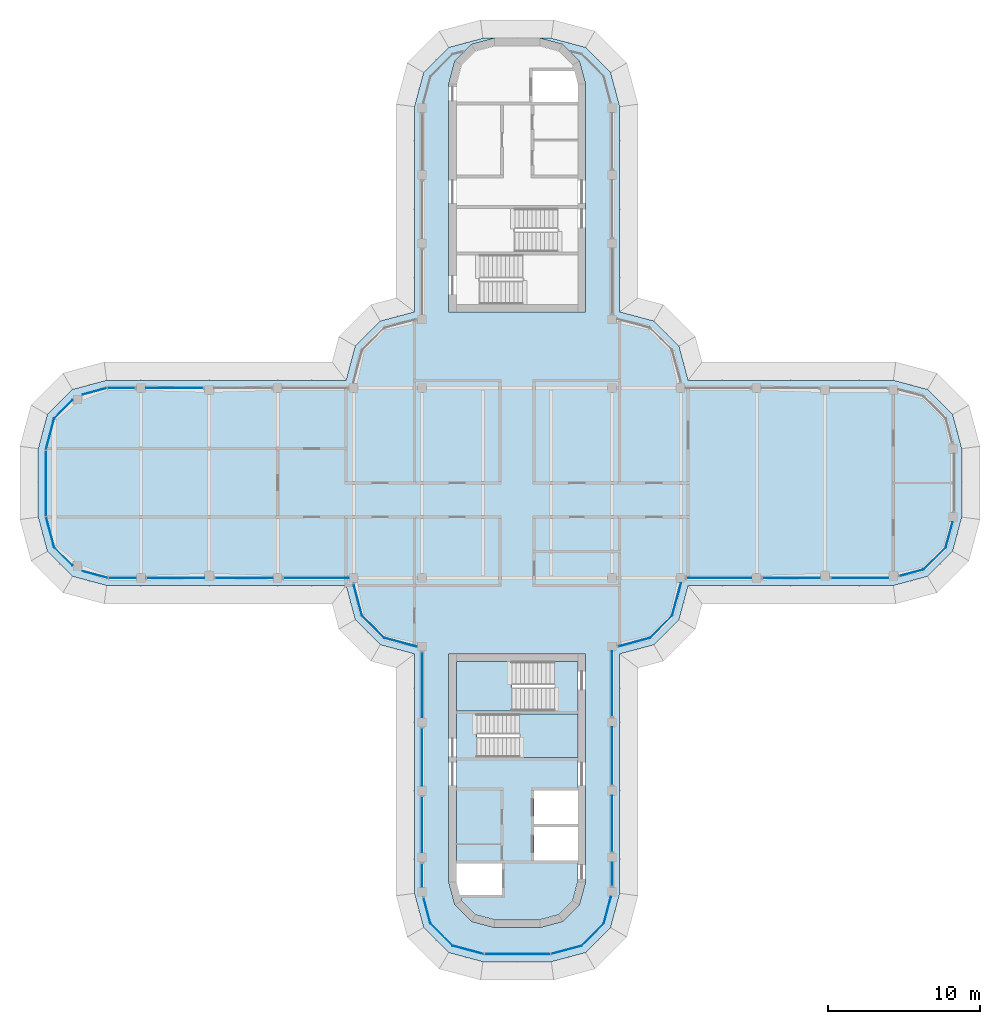
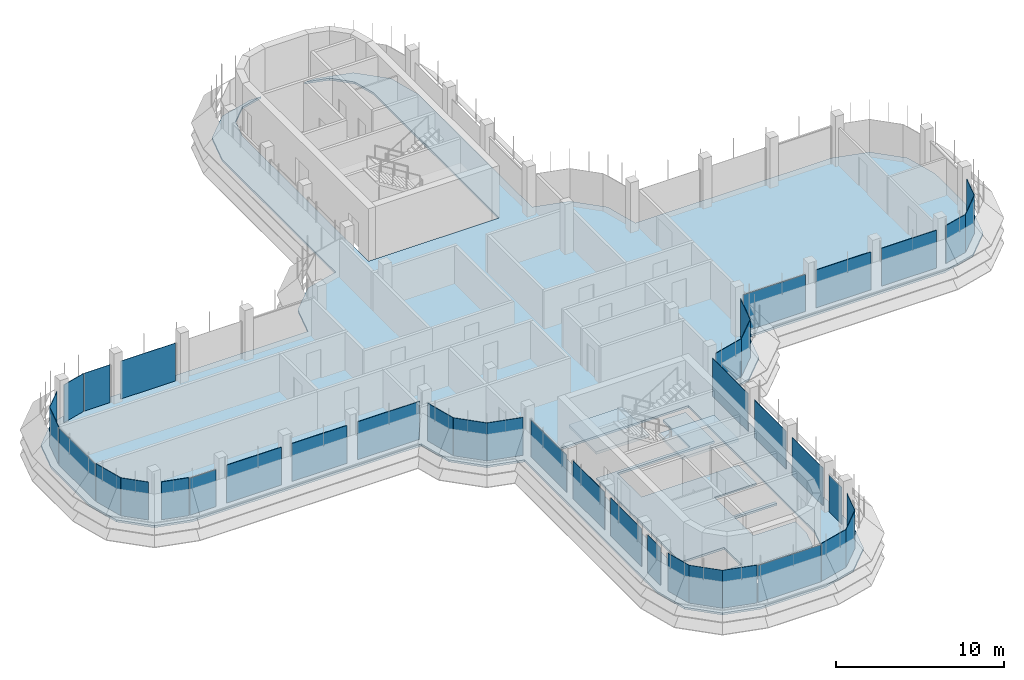
# One storey, part 11 of 19: 40 plates, 4 slabs, 30 elements without a shape of their own.
"""IFC4 building model written with IfcOpenShell, lengths in metres."""

from ifc_helpers import new_model, si_unit, direction, frame, origin, place, context, subcontext, project, spatial, polyline, outline, extrude, source, transform, mapped, material, layer, layer_set, type_object, element, aggregate, save


model = new_model("IFC4")

# Units and contexts
model_context = context("Model", 3, precision=1e-05, world=origin(), true_north=direction((0.0, 1.0)))
body_context = subcontext(model_context, "Body", "Model", "MODEL_VIEW")
ifc_project = project(units=[si_unit("LENGTHUNIT", "METRE"), si_unit("AREAUNIT", "SQUARE_METRE"), si_unit("VOLUMEUNIT", "CUBIC_METRE"), si_unit("PLANEANGLEUNIT", "RADIAN"), si_unit("MASSUNIT", "GRAM", prefix="KILO")], contexts=[model_context])

# Site, building, storey
site_placement = place(None, origin())
site = spatial("IfcSite", under=ifc_project, at=site_placement, CompositionType="ELEMENT")
building_placement = place(site_placement, origin())
building = spatial("IfcBuilding", under=site, at=building_placement, Name="Zarbagh Exchange Tower", CompositionType="ELEMENT")
storey_placement = place(building_placement, frame((0.0, 0.0, 280.199951171875)))
storey = spatial("IfcBuildingStorey", under=building, at=storey_placement, Name="L69", CompositionType="ELEMENT", Elevation=280.199951171875)

# Slabs
ifc_material_1 = material(Name="Concrete C40/50", Category="concrete")
ifc_layer_1 = layer(ifc_material_1, 0.14990234375)
ifc_layer_set_1 = layer_set([ifc_layer_1], Name="Composite floor slab 150 C40/50")
slab_type_1 = type_object("IfcSlabType", Name="Composite floor slab 150 C40/50", PredefinedType="FLOOR", material=ifc_layer_set_1)
slab_1_placement = place(storey_placement, frame((0.0, 0.0, -0.14990234375)))
element("IfcSlab", 1, at=slab_1_placement, inside=storey, type_object=slab_type_1, Name="S5 composite floor slab", PredefinedType="FLOOR", context=body_context, shape_type="SweptSolid", body=[
    extrude(outline(polyline([(-2.25, -31.5), (-4.5, -30.897216796875), (-6.147216796875, -29.25), (-6.75, -27.0), (-6.75, -11.25), (-9.0, -10.647216796875), (-10.647216796875, -9.0), (-11.25, -6.75), (-27.0, -6.75), (-29.25, -6.147216796875), (-30.897216796875, -4.5), (-31.5, -2.25), (-31.5, 2.25), (-30.897216796875, 4.5), (-29.25, 6.147216796875), (-27.0, 6.75), (-11.25, 6.75), (-10.647216796875, 9.0), (-9.0, 10.647216796875), (-6.75, 11.25), (-6.75, 24.75), (-6.147216796875, 27.0), (-4.5, 28.647216796875), (-2.25, 29.25), (-1.5, 29.25), (-3.0, 28.84814453125), (-4.09814453125, 27.75), (-4.5, 26.25), (-4.5, 11.25), (4.5, 11.25), (4.5, 26.25), (4.09814453125, 27.75), (3.0, 28.84814453125), (1.5, 29.25), (2.25, 29.25), (4.5, 28.647216796875), (6.147216796875, 27.0), (6.75, 24.75), (6.75, 11.25), (9.0, 10.647216796875), (10.647216796875, 9.0), (11.25, 6.75), (24.75, 6.75), (27.0, 6.147216796875), (28.647216796875, 4.5), (29.25, 2.25), (29.25, -2.25), (28.647216796875, -4.5), (27.0, -6.147216796875), (24.75, -6.75), (11.25, -6.75), (10.647216796875, -9.0), (9.0, -10.647216796875), (6.75, -11.25), (6.75, -27.0), (6.147216796875, -29.25), (4.5, -30.897216796875), (2.25, -31.5), (-2.25, -31.5)]), holes=[polyline([(-1.5, -29.25), (1.5, -29.25), (3.0, -28.84814453125), (4.09814453125, -27.75), (4.5, -26.25), (4.5, -11.25), (-4.5, -11.25), (-4.5, -26.25), (-4.09814453125, -27.75), (-3.0, -28.84814453125), (-1.5, -29.25)])]), origin(), (0.0, 0.0, 1.0), 0.14990234375),
])
ifc_layer_2 = layer(ifc_material_1, 0.14990234375)
ifc_layer_set_2 = layer_set([ifc_layer_2], Name="Core floor slab 150 C40/50")
slab_type_2 = type_object("IfcSlabType", Name="Core floor slab 150 C40/50", PredefinedType="FLOOR", material=ifc_layer_set_2)
slab_2_placement = place(storey_placement, frame((0.0, 0.0, -0.14990234375)))
element("IfcSlab", 2, at=slab_2_placement, inside=storey, type_object=slab_type_2, Name="S17 core S", PredefinedType="FLOOR", context=body_context, shape_type="SweptSolid", body=[
    extrude(outline(polyline([(-2.7412109375, -28.39990234375), (-3.64990234375, -27.4912109375), (-3.857666015625, -26.715087890625), (-3.754638671875, -27.10009765625), (-1.0, -27.10009765625), (-1.0, -25.050048828125), (-4.0, -25.050048828125), (-4.0, -15.0), (2.449951171875, -15.0), (2.449951171875, -11.75), (4.0, -11.75), (4.0, -15.199951171875), (-2.64990234375, -15.199951171875), (-2.64990234375, -18.050048828125), (4.0, -18.050048828125), (4.0, -20.25), (1.10009765625, -20.25), (1.10009765625, -22.449951171875), (4.0, -22.449951171875), (4.0, -22.64990234375), (1.10009765625, -22.64990234375), (1.10009765625, -24.85009765625), (4.0, -24.85009765625), (4.0, -26.18408203125), (3.64990234375, -27.4912109375), (2.7412109375, -28.39990234375), (1.43408203125, -28.75), (-1.43408203125, -28.75), (-2.7412109375, -28.39990234375)])), origin(), (0.0, 0.0, 1.0), 0.14990234375),
])

# Stair, slab
stair_type = type_object("IfcStairType", Name="Exit stair two-flight half-turn", PredefinedType="HALF_TURN_STAIR", material=ifc_material_1)
stair_1_placement = place(storey_placement, origin())
stair_1 = element("IfcStair", 3, at=stair_1_placement, inside=storey, type_object=stair_type, Name="exit stair ST3", PredefinedType="HALF_TURN_STAIR")
ifc_layer_3 = layer(ifc_material_1, 0.199951171875)
ifc_layer_set_3 = layer_set([ifc_layer_3], Name="Stair landing 200 mm")
slab_type_3 = type_object("IfcSlabType", Name="Stair landing 200 mm", PredefinedType="LANDING", material=ifc_layer_set_3)
slab_3_placement = place(storey_placement, frame((0.0, 0.0, 1.699951171875)))
slab_3 = element("IfcSlab", 4, at=slab_3_placement, type_object=slab_type_3, Name="ST3 landing 1", PredefinedType="LANDING", context=body_context, shape_type="SweptSolid", body=[
    extrude(outline(polyline([(0.14990234375, -18.050048828125), (4.0, -18.050048828125), (4.0, -15.199951171875), (0.14990234375, -15.199951171875), (0.14990234375, -18.050048828125)])), origin(), (0.0, 0.0, 1.0), 0.2001953125),
])
aggregate(stair_1, [slab_3])

stair_2_placement = place(storey_placement, origin())
stair_2 = element("IfcStair", 5, at=stair_2_placement, inside=storey, type_object=stair_type, Name="exit stair ST4", PredefinedType="HALF_TURN_STAIR")
slab_4_placement = place(storey_placement, frame((0.0, 0.0, 1.699951171875)))
slab_4 = element("IfcSlab", 6, at=slab_4_placement, type_object=slab_type_3, Name="ST4 landing 1", PredefinedType="LANDING", context=body_context, shape_type="SweptSolid", body=[
    extrude(outline(polyline([(-0.35009765625, -11.75), (-4.0, -11.75), (-4.0, -15.0), (-0.35009765625, -15.0), (-0.35009765625, -11.75)])), origin(), (0.0, 0.0, 1.0), 0.2001953125),
])
aggregate(stair_2, [slab_4])

# Curtain wall, plate
ifc_material_2 = material(Name="Anodised aluminium frame and glazing", Category="aluminium")
curtain_wall_type = type_object("IfcCurtainWallType", Name="CWB Ribbon glazing, upper zones", PredefinedType="NOTDEFINED", material=ifc_material_2)
curtain_wall_1_placement = place(storey_placement, origin())
curtain_wall_1 = element("IfcCurtainWall", 7, at=curtain_wall_1_placement, inside=storey, type_object=curtain_wall_type, Name="CWB50 curtain wall", PredefinedType="NOTDEFINED")
ifc_material_3 = material(Name="Low-e double glazed unit, 6+12+6 mm")
ifc_layer_4 = layer(ifc_material_3, 0.031982421875)
ifc_layer_set_4 = layer_set([ifc_layer_4], Name="PAB Glazing panel, Low-e double glazed unit, 6+12+6 mm")
plate_type = type_object("IfcPlateType", Name="PAB Glazing panel, Low-e double glazed unit, 6+12+6 mm", PredefinedType="CURTAIN_PANEL", material=ifc_layer_set_4)
shared_shape_1 = source(origin(), body_context, "Body", "SweptSolid", [
    extrude(outline(polyline([(0.0, -0.01611328125), (2.061279296875, -0.01611328125), (2.061279296875, 0.01611328125), (0.0, 0.01611328125), (0.0, -0.01611328125)])), origin(), (0.0, 0.0, 1.0), 2.75),
])
placement = place(storey_placement, origin())
plate_1 = element("IfcPlate", 8, at=placement, type_object=plate_type, Name="CWB50 glazing panel 1.1", PredefinedType="CURTAIN_PANEL", context=body_context, shape_type="MappedRepresentation", body=[
    mapped(shared_shape_1, transform((4.2412109375, -30.44873046875, 0.0), x_axis=(0.707106781187, 0.707106781187, 0.0), y_axis=(-0.707106781187, 0.707106781187, 0.0), z_axis=(0.0, 0.0, 1.0))),
])
aggregate(curtain_wall_1, [plate_1])

curtain_wall_2_placement = place(storey_placement, origin())
curtain_wall_2 = element("IfcCurtainWall", 9, at=curtain_wall_2_placement, inside=storey, type_object=curtain_wall_type, Name="CWB06 curtain wall", PredefinedType="NOTDEFINED")
plate_2 = element("IfcPlate", 10, at=placement, type_object=plate_type, Name="CWB06 glazing panel 1.1", PredefinedType="CURTAIN_PANEL", context=body_context, shape_type="MappedRepresentation", body=[
    mapped(shared_shape_1, transform((8.7412109375, -10.19873046875, 0.0), x_axis=(0.707106781187, 0.707106781187, 0.0), y_axis=(-0.707106781187, 0.707106781187, 0.0), z_axis=(0.0, 0.0, 1.0))),
])
aggregate(curtain_wall_2, [plate_2])

curtain_wall_3_placement = place(storey_placement, origin())
curtain_wall_3 = element("IfcCurtainWall", 11, at=curtain_wall_3_placement, inside=storey, type_object=curtain_wall_type, Name="CWB77 curtain wall", PredefinedType="NOTDEFINED")
plate_3 = element("IfcPlate", 12, at=placement, type_object=plate_type, Name="CWB77 glazing panel 1.1", PredefinedType="CURTAIN_PANEL", context=body_context, shape_type="MappedRepresentation", body=[
    mapped(shared_shape_1, transform((26.7412109375, -5.69873046875, 0.0), x_axis=(0.707106781187, 0.707106781187, 0.0), y_axis=(-0.707106781187, 0.707106781187, 0.0), z_axis=(0.0, 0.0, 1.0))),
])
aggregate(curtain_wall_3, [plate_3])

curtain_wall_4_placement = place(storey_placement, origin())
curtain_wall_4 = element("IfcCurtainWall", 13, at=curtain_wall_4_placement, inside=storey, type_object=curtain_wall_type, Name="CWB42 curtain wall", PredefinedType="NOTDEFINED")
plate_4 = element("IfcPlate", 14, at=placement, type_object=plate_type, Name="CWB42 glazing panel 1.1", PredefinedType="CURTAIN_PANEL", context=body_context, shape_type="MappedRepresentation", body=[
    mapped(shared_shape_1, transform((-10.19873046875, -8.7412109375, 0.0), x_axis=(0.707106781187, -0.707106781187, 0.0), y_axis=(0.707106781187, 0.707106781187, 0.0), z_axis=(0.0, 0.0, 1.0))),
])
aggregate(curtain_wall_4, [plate_4])

curtain_wall_5_placement = place(storey_placement, origin())
curtain_wall_5 = element("IfcCurtainWall", 15, at=curtain_wall_5_placement, inside=storey, type_object=curtain_wall_type, Name="CWB55 curtain wall", PredefinedType="NOTDEFINED")
plate_5 = element("IfcPlate", 16, at=placement, type_object=plate_type, Name="CWB55 glazing panel 1.1", PredefinedType="CURTAIN_PANEL", context=body_context, shape_type="MappedRepresentation", body=[
    mapped(shared_shape_1, transform((-5.69873046875, -28.9912109375, 0.0), x_axis=(0.707106781187, -0.707106781187, 0.0), y_axis=(0.707106781187, 0.707106781187, 0.0), z_axis=(0.0, 0.0, 1.0))),
])
aggregate(curtain_wall_5, [plate_5])

curtain_wall_6_placement = place(storey_placement, origin())
curtain_wall_6 = element("IfcCurtainWall", 17, at=curtain_wall_6_placement, inside=storey, type_object=curtain_wall_type, Name="CWB61 curtain wall", PredefinedType="NOTDEFINED")
shared_shape_2 = source(origin(), body_context, "Body", "SweptSolid", [
    extrude(outline(polyline([(0.0, -0.01611328125), (2.129638671875, -0.01611328125), (2.129638671875, 0.01611328125), (0.0, 0.01611328125), (0.0, -0.01611328125)])), origin(), (0.0, 0.0, 1.0), 2.75),
])
plate_6 = element("IfcPlate", 18, at=placement, type_object=plate_type, Name="CWB61 glazing panel 1.1", PredefinedType="CURTAIN_PANEL", context=body_context, shape_type="MappedRepresentation", body=[
    mapped(shared_shape_2, transform((-30.44873046875, 4.2412109375, 0.0), x_axis=(-0.258824779902, -0.965924289636, 0.0), y_axis=(0.965924289636, -0.258824779902, 0.0), z_axis=(0.0, 0.0, 1.0))),
])
aggregate(curtain_wall_6, [plate_6])

curtain_wall_7_placement = place(storey_placement, origin())
curtain_wall_7 = element("IfcCurtainWall", 19, at=curtain_wall_7_placement, inside=storey, type_object=curtain_wall_type, Name="CWB56 curtain wall", PredefinedType="NOTDEFINED")
plate_7 = element("IfcPlate", 20, at=placement, type_object=plate_type, Name="CWB56 glazing panel 1.1", PredefinedType="CURTAIN_PANEL", context=body_context, shape_type="MappedRepresentation", body=[
    mapped(shared_shape_2, transform((-4.2412109375, -30.44873046875, 0.0), x_axis=(0.965924289636, -0.258824779902, 0.0), y_axis=(0.258824779902, 0.965924289636, 0.0), z_axis=(0.0, 0.0, 1.0))),
])
aggregate(curtain_wall_7, [plate_7])

curtain_wall_8_placement = place(storey_placement, origin())
curtain_wall_8 = element("IfcCurtainWall", 21, at=curtain_wall_8_placement, inside=storey, type_object=curtain_wall_type, Name="CWB65 curtain wall", PredefinedType="NOTDEFINED")
shared_shape_3 = source(origin(), body_context, "Body", "SweptSolid", [
    extrude(outline(polyline([(0.0, -0.01611328125), (1.7841796875, -0.01611328125), (1.7841796875, 0.01611328125), (0.0, 0.01611328125), (0.0, -0.01611328125)])), origin(), (0.0, 0.0, 1.0), 2.68994140625),
])
plate_8 = element("IfcPlate", 22, at=placement, type_object=plate_type, Name="CWB65 glazing panel 1.1", PredefinedType="CURTAIN_PANEL", context=body_context, shape_type="MappedRepresentation", body=[
    mapped(shared_shape_3, transform((-26.874267578125, -6.25, 0.0), x_axis=(1.0, 0.0, 0.0), y_axis=(0.0, 1.0, 0.0), z_axis=(0.0, 0.0, 1.0))),
])

curtain_wall_9_placement = place(storey_placement, origin())
curtain_wall_9 = element("IfcCurtainWall", 23, at=curtain_wall_9_placement, inside=storey, type_object=curtain_wall_type, Name="CWB66 curtain wall", PredefinedType="NOTDEFINED")
shared_shape_4 = source(origin(), body_context, "Body", "SweptSolid", [
    extrude(outline(polyline([(0.0, -0.01611328125), (4.308349609375, -0.01611328125), (4.308349609375, 0.01611328125), (0.0, 0.01611328125), (0.0, -0.01611328125)])), origin(), (0.0, 0.0, 1.0), 2.68994140625),
])
plate_9 = element("IfcPlate", 24, at=placement, type_object=plate_type, Name="CWB66 glazing panel 1.1", PredefinedType="CURTAIN_PANEL", context=body_context, shape_type="MappedRepresentation", body=[
    mapped(shared_shape_4, transform((-31.0, 2.124267578125, 0.0), x_axis=(0.0, -1.0, 0.0), y_axis=(1.0, 0.0, 0.0), z_axis=(0.0, 0.0, 1.0))),
])
aggregate(curtain_wall_9, [plate_9])

curtain_wall_10_placement = place(storey_placement, origin())
curtain_wall_10 = element("IfcCurtainWall", 25, at=curtain_wall_10_placement, inside=storey, type_object=curtain_wall_type, Name="CWB57 curtain wall", PredefinedType="NOTDEFINED")
plate_10 = element("IfcPlate", 26, at=placement, type_object=plate_type, Name="CWB57 glazing panel 1.1", PredefinedType="CURTAIN_PANEL", context=body_context, shape_type="MappedRepresentation", body=[
    mapped(shared_shape_4, transform((-2.124267578125, -31.0, 0.0), x_axis=(1.0, 0.0, 0.0), y_axis=(0.0, 1.0, 0.0), z_axis=(0.0, 0.0, 1.0))),
])
aggregate(curtain_wall_10, [plate_10])

curtain_wall_11_placement = place(storey_placement, origin())
curtain_wall_11 = element("IfcCurtainWall", 27, at=curtain_wall_11_placement, inside=storey, type_object=curtain_wall_type, Name="CWB49 curtain wall", PredefinedType="NOTDEFINED")
shared_shape_5 = source(origin(), body_context, "Body", "SweptSolid", [
    extrude(outline(polyline([(0.0, -0.01611328125), (2.069580078125, -0.01611328125), (2.069580078125, 0.01611328125), (0.0, 0.01611328125), (0.0, -0.01611328125)])), origin(), (0.0, 0.0, 1.0), 2.75),
])
plate_11 = element("IfcPlate", 28, at=placement, type_object=plate_type, Name="CWB49 glazing panel 1.1", PredefinedType="CURTAIN_PANEL", context=body_context, shape_type="MappedRepresentation", body=[
    mapped(shared_shape_5, transform((2.2421875, -30.984375, 0.0), x_axis=(0.965924289636, 0.258824779902, 0.0), y_axis=(-0.258824779902, 0.965924289636, 0.0), z_axis=(0.0, 0.0, 1.0))),
])
aggregate(curtain_wall_11, [plate_11])

curtain_wall_12_placement = place(storey_placement, origin())
curtain_wall_12 = element("IfcCurtainWall", 29, at=curtain_wall_12_placement, inside=storey, type_object=curtain_wall_type, Name="CWB62 curtain wall", PredefinedType="NOTDEFINED")
plate_12 = element("IfcPlate", 30, at=placement, type_object=plate_type, Name="CWB62 glazing panel 1.1", PredefinedType="CURTAIN_PANEL", context=body_context, shape_type="MappedRepresentation", body=[
    mapped(shared_shape_5, transform((-30.984375, -2.2421875, 0.0), x_axis=(0.258824779902, -0.965924289636, 0.0), y_axis=(0.965924289636, 0.258824779902, 0.0), z_axis=(0.0, 0.0, 1.0))),
])
aggregate(curtain_wall_12, [plate_12])

curtain_wall_13_placement = place(storey_placement, origin())
curtain_wall_13 = element("IfcCurtainWall", 31, at=curtain_wall_13_placement, inside=storey, type_object=curtain_wall_type, Name="CWB58 curtain wall", PredefinedType="NOTDEFINED")
shared_shape_6 = source(origin(), body_context, "Body", "SweptSolid", [
    extrude(outline(polyline([(0.0, -0.01611328125), (1.7841796875, -0.01611328125), (1.7841796875, 0.01611328125), (0.0, 0.01611328125), (0.0, -0.01611328125)])), origin(), (0.0, 0.0, 1.0), 2.75),
])
plate_13 = element("IfcPlate", 32, at=placement, type_object=plate_type, Name="CWB58 glazing panel 4.1", PredefinedType="CURTAIN_PANEL", context=body_context, shape_type="MappedRepresentation", body=[
    mapped(shared_shape_6, transform((-25.150146484375, 6.25, 0.0), x_axis=(-1.0, 0.0, 0.0), y_axis=(0.0, -1.0, 0.0), z_axis=(0.0, 0.0, 1.0))),
])

curtain_wall_14_placement = place(storey_placement, origin())
curtain_wall_14 = element("IfcCurtainWall", 33, at=curtain_wall_14_placement, inside=storey, type_object=curtain_wall_type, Name="CWB78 curtain wall", PredefinedType="NOTDEFINED")
shared_shape_7 = source(origin(), body_context, "Body", "SweptSolid", [
    extrude(outline(polyline([(0.0, -0.01611328125), (1.70947265625, -0.01611328125), (1.70947265625, 0.01611328125), (0.0, 0.01611328125), (0.0, -0.01611328125)])), origin(), (0.0, 0.0, 1.0), 2.75),
])
plate_14 = element("IfcPlate", 34, at=placement, type_object=plate_type, Name="CWB78 glazing panel 1.1", PredefinedType="CURTAIN_PANEL", context=body_context, shape_type="MappedRepresentation", body=[
    mapped(shared_shape_7, transform((28.19873046875, -4.2412109375, 0.0), x_axis=(0.258824779902, 0.965924289636, 0.0), y_axis=(-0.965924289636, 0.258824779902, 0.0), z_axis=(0.0, 0.0, 1.0))),
])
aggregate(curtain_wall_14, [plate_14])

curtain_wall_15_placement = place(storey_placement, origin())
curtain_wall_15 = element("IfcCurtainWall", 35, at=curtain_wall_15_placement, inside=storey, type_object=curtain_wall_type, Name="CWB76 curtain wall", PredefinedType="NOTDEFINED")
shared_shape_8 = source(origin(), body_context, "Body", "SweptSolid", [
    extrude(outline(polyline([(0.0, -0.01611328125), (1.6494140625, -0.01611328125), (1.6494140625, 0.01611328125), (0.0, 0.01611328125), (0.0, -0.01611328125)])), origin(), (0.0, 0.0, 1.0), 2.75),
])
plate_15 = element("IfcPlate", 36, at=placement, type_object=plate_type, Name="CWB76 glazing panel 1.1", PredefinedType="CURTAIN_PANEL", context=body_context, shape_type="MappedRepresentation", body=[
    mapped(shared_shape_8, transform((25.14794921875, -6.125732421875, 0.0), x_axis=(0.965924289636, 0.258824779902, 0.0), y_axis=(-0.258824779902, 0.965924289636, 0.0), z_axis=(0.0, 0.0, 1.0))),
])
aggregate(curtain_wall_15, [plate_15])

curtain_wall_16_placement = place(storey_placement, origin())
curtain_wall_16 = element("IfcCurtainWall", 37, at=curtain_wall_16_placement, inside=storey, type_object=curtain_wall_type, Name="CWB52 curtain wall", PredefinedType="NOTDEFINED")
shared_shape_9 = source(origin(), body_context, "Body", "SweptSolid", [
    extrude(outline(polyline([(0.0, -0.01611328125), (3.659912109375, -0.01611328125), (3.659912109375, 0.01611328125), (0.0, 0.01611328125), (0.0, -0.01611328125)])), origin(), (0.0, 0.0, 1.0), 2.75),
])
plate_16 = element("IfcPlate", 38, at=placement, type_object=plate_type, Name="CWB52 glazing panel 2.1", PredefinedType="CURTAIN_PANEL", context=body_context, shape_type="MappedRepresentation", body=[
    mapped(shared_shape_9, transform((6.25, -24.25, 0.0), x_axis=(0.0, 1.0, 0.0), y_axis=(-1.0, 0.0, 0.0), z_axis=(0.0, 0.0, 1.0))),
])

curtain_wall_17_placement = place(storey_placement, origin())
curtain_wall_17 = element("IfcCurtainWall", 39, at=curtain_wall_17_placement, inside=storey, type_object=curtain_wall_type, Name="CWB53 curtain wall", PredefinedType="NOTDEFINED")
plate_17 = element("IfcPlate", 40, at=placement, type_object=plate_type, Name="CWB53 glazing panel 3.1", PredefinedType="CURTAIN_PANEL", context=body_context, shape_type="MappedRepresentation", body=[
    mapped(shared_shape_9, transform((-6.25, -20.650146484375, 0.0), x_axis=(0.0, -1.0, 0.0), y_axis=(1.0, 0.0, 0.0), z_axis=(0.0, 0.0, 1.0))),
])

curtain_wall_18_placement = place(storey_placement, origin())
curtain_wall_18 = element("IfcCurtainWall", 41, at=curtain_wall_18_placement, inside=storey, type_object=curtain_wall_type, Name="CWB51 curtain wall", PredefinedType="NOTDEFINED")
shared_shape_10 = source(origin(), body_context, "Body", "SweptSolid", [
    extrude(outline(polyline([(0.0, -0.01611328125), (1.81298828125, -0.01611328125), (1.81298828125, 0.01611328125), (0.0, 0.01611328125), (0.0, -0.01611328125)])), origin(), (0.0, 0.0, 1.0), 2.75),
])
plate_18 = element("IfcPlate", 42, at=placement, type_object=plate_type, Name="CWB51 glazing panel 1.1", PredefinedType="CURTAIN_PANEL", context=body_context, shape_type="MappedRepresentation", body=[
    mapped(shared_shape_10, transform((5.69873046875, -28.9912109375, 0.0), x_axis=(0.258824779902, 0.965924289636, 0.0), y_axis=(-0.965924289636, 0.258824779902, 0.0), z_axis=(0.0, 0.0, 1.0))),
])
aggregate(curtain_wall_18, [plate_18])

# Plate
shared_shape_11 = source(origin(), body_context, "Body", "SweptSolid", [
    extrude(outline(polyline([(0.0, -0.01611328125), (1.510009765625, -0.01611328125), (1.510009765625, 0.01611328125), (0.0, 0.01611328125), (0.0, -0.01611328125)])), origin(), (0.0, 0.0, 1.0), 2.68994140625),
])
plate_19 = element("IfcPlate", 43, at=placement, type_object=plate_type, Name="CWB52 glazing panel 1.1", PredefinedType="CURTAIN_PANEL", context=body_context, shape_type="MappedRepresentation", body=[
    mapped(shared_shape_11, transform((6.25, -26.5, 0.0), x_axis=(0.0, 1.0, 0.0), y_axis=(-1.0, 0.0, 0.0), z_axis=(0.0, 0.0, 1.0))),
])

shared_shape_12 = source(origin(), body_context, "Body", "SweptSolid", [
    extrude(outline(polyline([(0.0, -0.01611328125), (3.760009765625, -0.01611328125), (3.760009765625, 0.01611328125), (0.0, 0.01611328125), (0.0, -0.01611328125)])), origin(), (0.0, 0.0, 1.0), 2.75),
])
plate_20 = element("IfcPlate", 44, at=placement, type_object=plate_type, Name="CWB52 glazing panel 3.1", PredefinedType="CURTAIN_PANEL", context=body_context, shape_type="MappedRepresentation", body=[
    mapped(shared_shape_12, transform((6.25, -19.849853515625, 0.0), x_axis=(0.0, 1.0, 0.0), y_axis=(-1.0, 0.0, 0.0), z_axis=(0.0, 0.0, 1.0))),
])

# Curtain wall, plates
curtain_wall_19_placement = place(storey_placement, origin())
curtain_wall_19 = element("IfcCurtainWall", 45, at=curtain_wall_19_placement, inside=storey, type_object=curtain_wall_type, Name="CWB75 curtain wall", PredefinedType="NOTDEFINED")
plate_21 = element("IfcPlate", 46, at=placement, type_object=plate_type, Name="CWB75 glazing panel 2.1", PredefinedType="CURTAIN_PANEL", context=body_context, shape_type="MappedRepresentation", body=[
    mapped(shared_shape_12, transform((16.150146484375, -6.25, 0.0), x_axis=(1.0, 0.0, 0.0), y_axis=(0.0, 1.0, 0.0), z_axis=(0.0, 0.0, 1.0))),
])
plate_22 = element("IfcPlate", 47, at=placement, type_object=plate_type, Name="CWB75 glazing panel 3.1", PredefinedType="CURTAIN_PANEL", context=body_context, shape_type="MappedRepresentation", body=[
    mapped(shared_shape_12, transform((20.650146484375, -6.25, 0.0), x_axis=(1.0, 0.0, 0.0), y_axis=(0.0, 1.0, 0.0), z_axis=(0.0, 0.0, 1.0))),
])

# Plate
plate_23 = element("IfcPlate", 48, at=placement, type_object=plate_type, Name="CWB58 glazing panel 3.1", PredefinedType="CURTAIN_PANEL", context=body_context, shape_type="MappedRepresentation", body=[
    mapped(shared_shape_12, transform((-20.650146484375, 6.25, 0.0), x_axis=(-1.0, 0.0, 0.0), y_axis=(0.0, -1.0, 0.0), z_axis=(0.0, 0.0, 1.0))),
])

aggregate(curtain_wall_13, [plate_23, plate_13])

plate_24 = element("IfcPlate", 49, at=placement, type_object=plate_type, Name="CWB65 glazing panel 2.1", PredefinedType="CURTAIN_PANEL", context=body_context, shape_type="MappedRepresentation", body=[
    mapped(shared_shape_12, transform((-24.349853515625, -6.25, 0.0), x_axis=(1.0, 0.0, 0.0), y_axis=(0.0, 1.0, 0.0), z_axis=(0.0, 0.0, 1.0))),
])

plate_25 = element("IfcPlate", 50, at=placement, type_object=plate_type, Name="CWB65 glazing panel 3.1", PredefinedType="CURTAIN_PANEL", context=body_context, shape_type="MappedRepresentation", body=[
    mapped(shared_shape_12, transform((-19.849853515625, -6.25, 0.0), x_axis=(1.0, 0.0, 0.0), y_axis=(0.0, 1.0, 0.0), z_axis=(0.0, 0.0, 1.0))),
])

plate_26 = element("IfcPlate", 51, at=placement, type_object=plate_type, Name="CWB53 glazing panel 2.1", PredefinedType="CURTAIN_PANEL", context=body_context, shape_type="MappedRepresentation", body=[
    mapped(shared_shape_12, transform((-6.25, -16.150146484375, 0.0), x_axis=(0.0, -1.0, 0.0), y_axis=(1.0, 0.0, 0.0), z_axis=(0.0, 0.0, 1.0))),
])

shared_shape_13 = source(origin(), body_context, "Body", "SweptSolid", [
    extrude(outline(polyline([(0.0, -0.01611328125), (4.260009765625, -0.01611328125), (4.260009765625, 0.01611328125), (0.0, 0.01611328125), (0.0, -0.01611328125)])), origin(), (0.0, 0.0, 1.0), 2.75),
])
plate_27 = element("IfcPlate", 52, at=placement, type_object=plate_type, Name="CWB52 glazing panel 4.1", PredefinedType="CURTAIN_PANEL", context=body_context, shape_type="MappedRepresentation", body=[
    mapped(shared_shape_13, transform((6.25, -15.349853515625, 0.0), x_axis=(0.0, 1.0, 0.0), y_axis=(-1.0, 0.0, 0.0), z_axis=(0.0, 0.0, 1.0))),
])

aggregate(curtain_wall_16, [plate_19, plate_16, plate_20, plate_27])

plate_28 = element("IfcPlate", 53, at=placement, type_object=plate_type, Name="CWB65 glazing panel 4.1", PredefinedType="CURTAIN_PANEL", context=body_context, shape_type="MappedRepresentation", body=[
    mapped(shared_shape_13, transform((-15.349853515625, -6.25, 0.0), x_axis=(1.0, 0.0, 0.0), y_axis=(0.0, 1.0, 0.0), z_axis=(0.0, 0.0, 1.0))),
])

aggregate(curtain_wall_8, [plate_8, plate_24, plate_25, plate_28])

# Curtain wall, plate
curtain_wall_20_placement = place(storey_placement, origin())
curtain_wall_20 = element("IfcCurtainWall", 54, at=curtain_wall_20_placement, inside=storey, type_object=curtain_wall_type, Name="CWB05 curtain wall", PredefinedType="NOTDEFINED")
shared_shape_14 = source(origin(), body_context, "Body", "SweptSolid", [
    extrude(outline(polyline([(0.0, -0.01611328125), (2.1669921875, -0.01611328125), (2.1669921875, 0.01611328125), (0.0, 0.01611328125), (0.0, -0.01611328125)])), origin(), (0.0, 0.0, 1.0), 2.75),
])
plate_29 = element("IfcPlate", 55, at=placement, type_object=plate_type, Name="CWB05 glazing panel 1.1", PredefinedType="CURTAIN_PANEL", context=body_context, shape_type="MappedRepresentation", body=[
    mapped(shared_shape_14, transform((6.64794921875, -10.759765625, 0.0), x_axis=(0.965924289636, 0.258824779902, 0.0), y_axis=(-0.258824779902, 0.965924289636, 0.0), z_axis=(0.0, 0.0, 1.0))),
])
aggregate(curtain_wall_20, [plate_29])

curtain_wall_21_placement = place(storey_placement, origin())
curtain_wall_21 = element("IfcCurtainWall", 56, at=curtain_wall_21_placement, inside=storey, type_object=curtain_wall_type, Name="CWB41 curtain wall", PredefinedType="NOTDEFINED")
plate_30 = element("IfcPlate", 57, at=placement, type_object=plate_type, Name="CWB41 glazing panel 1.1", PredefinedType="CURTAIN_PANEL", context=body_context, shape_type="MappedRepresentation", body=[
    mapped(shared_shape_14, transform((-10.759765625, -6.64794921875, 0.0), x_axis=(0.258824779902, -0.965924289636, 0.0), y_axis=(0.965924289636, 0.258824779902, 0.0), z_axis=(0.0, 0.0, 1.0))),
])
aggregate(curtain_wall_21, [plate_30])

curtain_wall_22_placement = place(storey_placement, origin())
curtain_wall_22 = element("IfcCurtainWall", 58, at=curtain_wall_22_placement, inside=storey, type_object=curtain_wall_type, Name="CWB07 curtain wall", PredefinedType="NOTDEFINED")
shared_shape_15 = source(origin(), body_context, "Body", "SweptSolid", [
    extrude(outline(polyline([(0.0, -0.01611328125), (2.22705078125, -0.01611328125), (2.22705078125, 0.01611328125), (0.0, 0.01611328125), (0.0, -0.01611328125)])), origin(), (0.0, 0.0, 1.0), 2.75),
])
plate_31 = element("IfcPlate", 59, at=placement, type_object=plate_type, Name="CWB07 glazing panel 1.1", PredefinedType="CURTAIN_PANEL", context=body_context, shape_type="MappedRepresentation", body=[
    mapped(shared_shape_15, transform((10.19873046875, -8.7412109375, 0.0), x_axis=(0.258824779902, 0.965924289636, 0.0), y_axis=(-0.965924289636, 0.258824779902, 0.0), z_axis=(0.0, 0.0, 1.0))),
])
aggregate(curtain_wall_22, [plate_31])

curtain_wall_23_placement = place(storey_placement, origin())
curtain_wall_23 = element("IfcCurtainWall", 60, at=curtain_wall_23_placement, inside=storey, type_object=curtain_wall_type, Name="CWB43 curtain wall", PredefinedType="NOTDEFINED")
plate_32 = element("IfcPlate", 61, at=placement, type_object=plate_type, Name="CWB43 glazing panel 1.1", PredefinedType="CURTAIN_PANEL", context=body_context, shape_type="MappedRepresentation", body=[
    mapped(shared_shape_15, transform((-8.7412109375, -10.19873046875, 0.0), x_axis=(0.965924289636, -0.258824779902, 0.0), y_axis=(0.258824779902, 0.965924289636, 0.0), z_axis=(0.0, 0.0, 1.0))),
])
aggregate(curtain_wall_23, [plate_32])

# Plate
shared_shape_16 = source(origin(), body_context, "Body", "SweptSolid", [
    extrude(outline(polyline([(0.0, -0.01611328125), (4.260009765625, -0.01611328125), (4.260009765625, 0.01611328125), (0.0, 0.01611328125), (0.0, -0.01611328125)])), origin(), (0.0, 0.0, 1.0), 2.68994140625),
])
plate_33 = element("IfcPlate", 62, at=placement, type_object=plate_type, Name="CWB75 glazing panel 1.1", PredefinedType="CURTAIN_PANEL", context=body_context, shape_type="MappedRepresentation", body=[
    mapped(shared_shape_16, transform((11.150146484375, -6.25, 0.0), x_axis=(1.0, 0.0, 0.0), y_axis=(0.0, 1.0, 0.0), z_axis=(0.0, 0.0, 1.0))),
])

aggregate(curtain_wall_19, [plate_33, plate_21, plate_22])

plate_34 = element("IfcPlate", 63, at=placement, type_object=plate_type, Name="CWB53 glazing panel 1.1", PredefinedType="CURTAIN_PANEL", context=body_context, shape_type="MappedRepresentation", body=[
    mapped(shared_shape_16, transform((-6.25, -11.150146484375, 0.0), x_axis=(0.0, -1.0, 0.0), y_axis=(1.0, 0.0, 0.0), z_axis=(0.0, 0.0, 1.0))),
])

# Curtain wall, plate
curtain_wall_24_placement = place(storey_placement, origin())
curtain_wall_24 = element("IfcCurtainWall", 64, at=curtain_wall_24_placement, inside=storey, type_object=curtain_wall_type, Name="CWB54 curtain wall", PredefinedType="NOTDEFINED")
shared_shape_17 = source(origin(), body_context, "Body", "SweptSolid", [
    extrude(outline(polyline([(0.0, -0.01611328125), (1.7529296875, -0.01611328125), (1.7529296875, 0.01611328125), (0.0, 0.01611328125), (0.0, -0.01611328125)])), origin(), (0.0, 0.0, 1.0), 2.75),
])
plate_35 = element("IfcPlate", 65, at=placement, type_object=plate_type, Name="CWB54 glazing panel 1.1", PredefinedType="CURTAIN_PANEL", context=body_context, shape_type="MappedRepresentation", body=[
    mapped(shared_shape_17, transform((-6.152587890625, -27.2978515625, 0.0), x_axis=(0.258824779902, -0.965924289636, 0.0), y_axis=(0.965924289636, 0.258824779902, 0.0), z_axis=(0.0, 0.0, 1.0))),
])
aggregate(curtain_wall_24, [plate_35])

curtain_wall_25_placement = place(storey_placement, origin())
curtain_wall_25 = element("IfcCurtainWall", 66, at=curtain_wall_25_placement, inside=storey, type_object=curtain_wall_type, Name="CWB59 curtain wall", PredefinedType="NOTDEFINED")
shared_shape_18 = source(origin(), body_context, "Body", "SweptSolid", [
    extrude(outline(polyline([(0.0, -0.01611328125), (1.631591796875, -0.01611328125), (1.631591796875, 0.01611328125), (0.0, 0.01611328125), (0.0, -0.01611328125)])), origin(), (0.0, 0.0, 1.0), 2.75),
])
plate_36 = element("IfcPlate", 67, at=placement, type_object=plate_type, Name="CWB59 glazing panel 1.1", PredefinedType="CURTAIN_PANEL", context=body_context, shape_type="MappedRepresentation", body=[
    mapped(shared_shape_18, transform((-26.9921875, 6.234375, 0.0), x_axis=(-0.965924289636, -0.258824779902, 0.0), y_axis=(0.258824779902, -0.965924289636, 0.0), z_axis=(0.0, 0.0, 1.0))),
])
aggregate(curtain_wall_25, [plate_36])

curtain_wall_26_placement = place(storey_placement, origin())
curtain_wall_26 = element("IfcCurtainWall", 68, at=curtain_wall_26_placement, inside=storey, type_object=curtain_wall_type, Name="CWB60 curtain wall", PredefinedType="NOTDEFINED")
shared_shape_19 = source(origin(), body_context, "Body", "SweptSolid", [
    extrude(outline(polyline([(0.0, -0.01611328125), (1.6982421875, -0.01611328125), (1.6982421875, 0.01611328125), (0.0, 0.01611328125), (0.0, -0.01611328125)])), origin(), (0.0, 0.0, 1.0), 2.75),
])
plate_37 = element("IfcPlate", 69, at=placement, type_object=plate_type, Name="CWB60 glazing panel 1.1", PredefinedType="CURTAIN_PANEL", context=body_context, shape_type="MappedRepresentation", body=[
    mapped(shared_shape_19, transform((-29.248046875, 5.44189453125, 0.0), x_axis=(-0.707106781187, -0.707106781187, 0.0), y_axis=(0.707106781187, -0.707106781187, 0.0), z_axis=(0.0, 0.0, 1.0))),
])
aggregate(curtain_wall_26, [plate_37])

curtain_wall_27_placement = place(storey_placement, origin())
curtain_wall_27 = element("IfcCurtainWall", 70, at=curtain_wall_27_placement, inside=storey, type_object=curtain_wall_type, Name="CWB63 curtain wall", PredefinedType="NOTDEFINED")
plate_38 = element("IfcPlate", 71, at=placement, type_object=plate_type, Name="CWB63 glazing panel 1.1", PredefinedType="CURTAIN_PANEL", context=body_context, shape_type="MappedRepresentation", body=[
    mapped(shared_shape_19, transform((-30.44873046875, -4.2412109375, 0.0), x_axis=(0.707106781187, -0.707106781187, 0.0), y_axis=(0.707106781187, 0.707106781187, 0.0), z_axis=(0.0, 0.0, 1.0))),
])
aggregate(curtain_wall_27, [plate_38])

curtain_wall_28_placement = place(storey_placement, origin())
curtain_wall_28 = element("IfcCurtainWall", 72, at=curtain_wall_28_placement, inside=storey, type_object=curtain_wall_type, Name="CWB64 curtain wall", PredefinedType="NOTDEFINED")
shared_shape_20 = source(origin(), body_context, "Body", "SweptSolid", [
    extrude(outline(polyline([(0.0, -0.01611328125), (1.69140625, -0.01611328125), (1.69140625, 0.01611328125), (0.0, 0.01611328125), (0.0, -0.01611328125)])), origin(), (0.0, 0.0, 1.0), 2.75),
])
plate_39 = element("IfcPlate", 73, at=placement, type_object=plate_type, Name="CWB64 glazing panel 1.1", PredefinedType="CURTAIN_PANEL", context=body_context, shape_type="MappedRepresentation", body=[
    mapped(shared_shape_20, transform((-28.568115234375, -5.812255859375, 0.0), x_axis=(0.965924289636, -0.258824779902, 0.0), y_axis=(0.258824779902, 0.965924289636, 0.0), z_axis=(0.0, 0.0, 1.0))),
])
aggregate(curtain_wall_28, [plate_39])

# Plate
shared_shape_21 = source(origin(), body_context, "Body", "SweptSolid", [
    extrude(outline(polyline([(0.0, -0.01611328125), (1.510009765625, -0.01611328125), (1.510009765625, 0.01611328125), (0.0, 0.01611328125), (0.0, -0.01611328125)])), origin(), (0.0, 0.0, 1.0), 2.75),
])
plate_40 = element("IfcPlate", 74, at=placement, type_object=plate_type, Name="CWB53 glazing panel 4.1", PredefinedType="CURTAIN_PANEL", context=body_context, shape_type="MappedRepresentation", body=[
    mapped(shared_shape_21, transform((-6.25, -25.050048828125, 0.0), x_axis=(0.0, -1.0, 0.0), y_axis=(1.0, 0.0, 0.0), z_axis=(0.0, 0.0, 1.0))),
])

aggregate(curtain_wall_17, [plate_34, plate_26, plate_17, plate_40])

save(model, "model.ifc")
